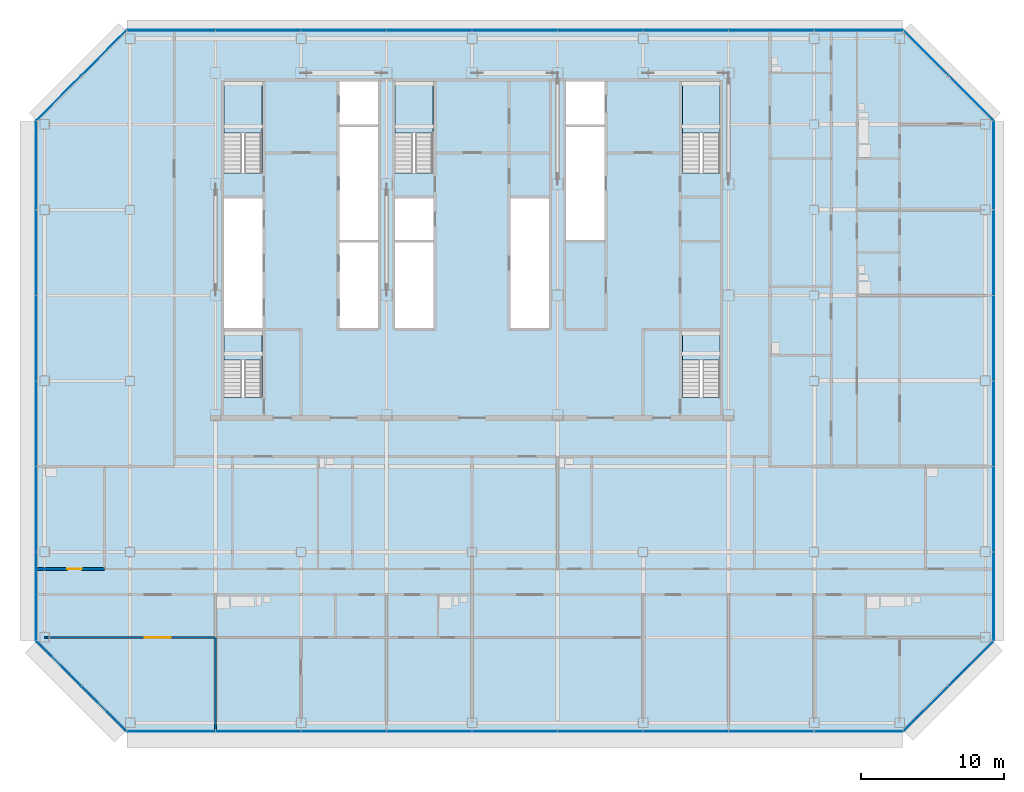
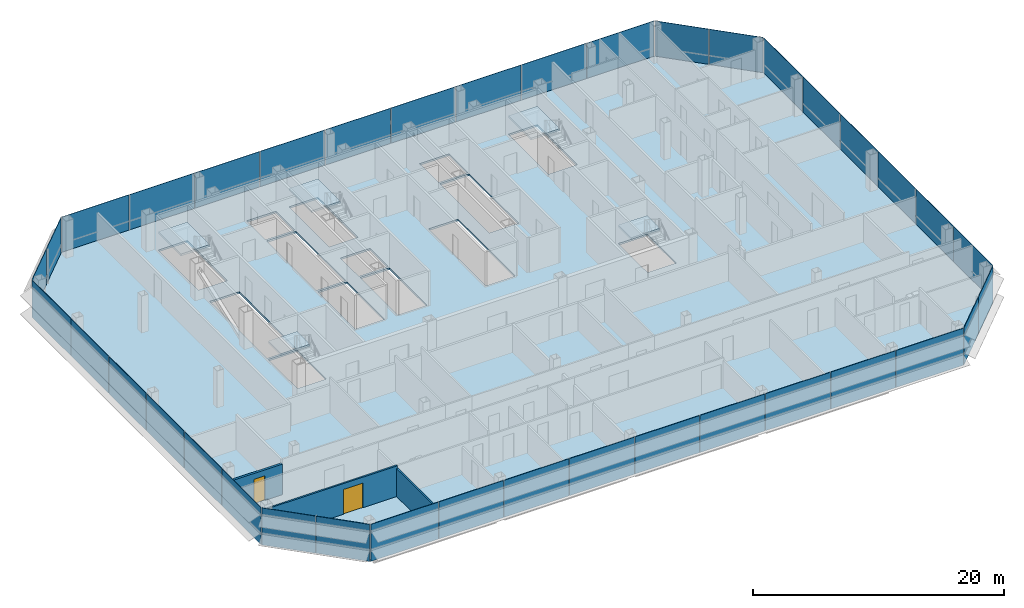
# One storey, part 18 of 26: 38 plates, 6 slabs, 3 walls, 2 doors, 2 openings, 13 elements without a shape of their own.
"""IFC4 building model written with IfcOpenShell, lengths in metres."""

from ifc_helpers import new_model, si_unit, direction, frame, frame_2d, origin, origin_2d, place, context, subcontext, project, spatial, polyline, rectangle, outline, extrude, material, layer, layer_set, type_object, element, fill, aggregate, save


model = new_model("IFC4")

# Units and contexts
model_context = context("Model", 3, precision=1e-05, world=origin(), true_north=direction((0.0, 1.0)))
body_context = subcontext(model_context, "Body", "Model", "MODEL_VIEW")
ifc_project = project(units=[si_unit("LENGTHUNIT", "METRE"), si_unit("AREAUNIT", "SQUARE_METRE"), si_unit("VOLUMEUNIT", "CUBIC_METRE"), si_unit("PLANEANGLEUNIT", "RADIAN"), si_unit("MASSUNIT", "GRAM", prefix="KILO")], contexts=[model_context])

# Site, building, storey
site_placement = place(None, origin())
site = spatial("IfcSite", under=ifc_project, at=site_placement, CompositionType="ELEMENT")
building_placement = place(site_placement, origin())
building = spatial("IfcBuilding", under=site, at=building_placement, Name="Sorahane Residences", CompositionType="ELEMENT")
storey_placement = place(building_placement, frame((0.0, 0.0, 151.0)))
storey = spatial("IfcBuildingStorey", under=building, at=storey_placement, Name="L34", CompositionType="ELEMENT", Elevation=151.0)

# Slab
ifc_material_1 = material(Name="Concrete C35", Category="concrete")
ifc_layer_1 = layer(ifc_material_1, 0.179931640625)
ifc_layer_set_1 = layer_set([ifc_layer_1], Name="Composite floor slab 180 mm Concrete C35")
slab_type_1 = type_object("IfcSlabType", Name="Composite floor slab 180 mm Concrete C35", PredefinedType="FLOOR", material=ifc_layer_set_1)
slab_1_placement = place(storey_placement, frame((0.0, 0.0, -0.179931640625)))
element("IfcSlab", 1, at=slab_1_placement, inside=storey, type_object=slab_type_1, Name="Slab L34", PredefinedType="FLOOR", context=body_context, shape_type="SweptSolid", body=[
    extrude(outline(polyline([(-0.24853515625, -0.60009765625), (-6.60009765625, 5.75146484375), (-6.60009765625, 42.24853515625), (-0.24853515625, 48.60009765625), (54.24853515625, 48.60009765625), (60.60009765625, 42.24853515625), (60.60009765625, 5.75146484375), (54.24853515625, -0.60009765625), (-0.24853515625, -0.60009765625)]), holes=[polyline([(18.60009765625, 27.699951171875), (21.300048828125, 27.699951171875), (21.300048828125, 33.699951171875), (18.60009765625, 33.699951171875), (18.60009765625, 27.699951171875)]), polyline([(30.60009765625, 42.0), (33.300048828125, 42.0), (33.300048828125, 45.0), (30.60009765625, 45.0), (30.60009765625, 42.0)]), polyline([(14.699951171875, 27.699951171875), (17.39990234375, 27.699951171875), (17.39990234375, 33.699951171875), (14.699951171875, 33.699951171875), (14.699951171875, 27.699951171875)]), polyline([(14.699951171875, 42.0), (17.39990234375, 42.0), (17.39990234375, 45.0), (14.699951171875, 45.0), (14.699951171875, 42.0)]), polyline([(6.60009765625, 27.699951171875), (9.300048828125, 27.699951171875), (9.300048828125, 36.800048828125), (6.60009765625, 36.800048828125), (6.60009765625, 27.699951171875)]), polyline([(9.25, 38.60009765625), (9.25, 45.0), (6.60009765625, 45.0), (6.60009765625, 38.60009765625), (9.25, 38.60009765625)]), polyline([(41.39990234375, 38.60009765625), (41.39990234375, 45.0), (38.75, 45.0), (38.75, 38.60009765625), (41.39990234375, 38.60009765625)]), polyline([(21.25, 38.60009765625), (21.25, 45.0), (18.60009765625, 45.0), (18.60009765625, 38.60009765625), (21.25, 38.60009765625)]), polyline([(9.25, 22.85009765625), (9.25, 27.5), (6.60009765625, 27.5), (6.60009765625, 22.85009765625), (9.25, 22.85009765625)]), polyline([(41.39990234375, 22.85009765625), (41.39990234375, 27.5), (38.75, 27.5), (38.75, 22.85009765625), (41.39990234375, 22.85009765625)]), polyline([(14.699951171875, 33.89990234375), (17.39990234375, 33.89990234375), (17.39990234375, 41.800048828125), (14.699951171875, 41.800048828125), (14.699951171875, 33.89990234375)]), polyline([(30.60009765625, 33.89990234375), (33.300048828125, 33.89990234375), (33.300048828125, 41.800048828125), (30.60009765625, 41.800048828125), (30.60009765625, 33.89990234375)]), polyline([(18.60009765625, 33.89990234375), (21.300048828125, 33.89990234375), (21.300048828125, 36.800048828125), (18.60009765625, 36.800048828125), (18.60009765625, 33.89990234375)]), polyline([(26.699951171875, 27.699951171875), (29.39990234375, 27.699951171875), (29.39990234375, 36.800048828125), (26.699951171875, 36.800048828125), (26.699951171875, 27.699951171875)])]), origin(), (0.0, 0.0, 1.0), 0.179931640625),
])

# Curtain wall, plates
ifc_material_2 = material(Name="Dark low-e glass and black anodised aluminium", Category="aluminium")
curtain_wall_type_1 = type_object("IfcCurtainWallType", Name="Curtain wall CW-1 Typical unitised wall", PredefinedType="NOTDEFINED", material=ifc_material_2)
curtain_wall_1_placement = place(storey_placement, origin())
curtain_wall_1 = element("IfcCurtainWall", 2, at=curtain_wall_1_placement, inside=storey, type_object=curtain_wall_type_1, Name="CW-1 curtain wall L34 S1", PredefinedType="NOTDEFINED")
ifc_material_3 = material(Name="Dark low-e glass with black ceramic frit", Category="glass")
ifc_layer_2 = layer(ifc_material_3, 0.0400390625)
ifc_layer_set_2 = layer_set([ifc_layer_2], Name="Curtain wall glass panel dark low-e with black frit spandrel band")
plate_type = type_object("IfcPlateType", Name="Curtain wall glass panel dark low-e with black frit spandrel band", PredefinedType="CURTAIN_PANEL", material=ifc_layer_set_2)
plate_1_placement = place(storey_placement, frame((2.88818359375, -0.60009765625, -0.179931640625), z_axis=(0.0, 0.0, 1.0), x_axis=(1.0, 0.0, 0.0)))
plate_1 = element("IfcPlate", 3, at=plate_1_placement, type_object=plate_type, Name="CW-1 glass panel L34 S1.1", PredefinedType="CURTAIN_PANEL", context=body_context, shape_type="SweptSolid", body=[
    extrude(rectangle(XDim=6.173583984375, YDim=0.0400390625, at=origin_2d()), origin(), (0.0, 0.0, 1.0), 3.60009765625),
])
plate_2_placement = place(storey_placement, frame((9.0, -0.60009765625, -0.179931640625), z_axis=(0.0, 0.0, 1.0), x_axis=(1.0, 0.0, 0.0)))
plate_2 = element("IfcPlate", 4, at=plate_2_placement, type_object=plate_type, Name="CW-1 glass panel L34 S1.2", PredefinedType="CURTAIN_PANEL", context=body_context, shape_type="SweptSolid", body=[
    extrude(rectangle(XDim=5.949951171875, YDim=0.0400390625, at=origin_2d()), origin(), (0.0, 0.0, 1.0), 3.60009765625),
])
plate_3_placement = place(storey_placement, frame((15.0, -0.60009765625, -0.179931640625), z_axis=(0.0, 0.0, 1.0), x_axis=(1.0, 0.0, 0.0)))
plate_3 = element("IfcPlate", 5, at=plate_3_placement, type_object=plate_type, Name="CW-1 glass panel L34 S1.3", PredefinedType="CURTAIN_PANEL", context=body_context, shape_type="SweptSolid", body=[
    extrude(rectangle(XDim=5.949951171875, YDim=0.0400390625, at=origin_2d()), origin(), (0.0, 0.0, 1.0), 3.60009765625),
])
plate_4_placement = place(storey_placement, frame((21.0, -0.60009765625, -0.179931640625), z_axis=(0.0, 0.0, 1.0), x_axis=(1.0, 0.0, 0.0)))
plate_4 = element("IfcPlate", 6, at=plate_4_placement, type_object=plate_type, Name="CW-1 glass panel L34 S1.4", PredefinedType="CURTAIN_PANEL", context=body_context, shape_type="SweptSolid", body=[
    extrude(rectangle(XDim=5.949951171875, YDim=0.0400390625, at=origin_2d()), origin(), (0.0, 0.0, 1.0), 3.60009765625),
])
plate_5_placement = place(storey_placement, frame((27.0, -0.60009765625, -0.179931640625), z_axis=(0.0, 0.0, 1.0), x_axis=(1.0, 0.0, 0.0)))
plate_5 = element("IfcPlate", 7, at=plate_5_placement, type_object=plate_type, Name="CW-1 glass panel L34 S1.5", PredefinedType="CURTAIN_PANEL", context=body_context, shape_type="SweptSolid", body=[
    extrude(rectangle(XDim=5.949951171875, YDim=0.0400390625, at=origin_2d()), origin(), (0.0, 0.0, 1.0), 3.60009765625),
])
plate_6_placement = place(storey_placement, frame((33.0, -0.60009765625, -0.179931640625), z_axis=(0.0, 0.0, 1.0), x_axis=(1.0, 0.0, 0.0)))
plate_6 = element("IfcPlate", 8, at=plate_6_placement, type_object=plate_type, Name="CW-1 glass panel L34 S1.6", PredefinedType="CURTAIN_PANEL", context=body_context, shape_type="SweptSolid", body=[
    extrude(rectangle(XDim=5.949951171875, YDim=0.0400390625, at=origin_2d()), origin(), (0.0, 0.0, 1.0), 3.60009765625),
])
plate_7_placement = place(storey_placement, frame((39.0, -0.60009765625, -0.179931640625), z_axis=(0.0, 0.0, 1.0), x_axis=(1.0, 0.0, 0.0)))
plate_7 = element("IfcPlate", 9, at=plate_7_placement, type_object=plate_type, Name="CW-1 glass panel L34 S1.7", PredefinedType="CURTAIN_PANEL", context=body_context, shape_type="SweptSolid", body=[
    extrude(rectangle(XDim=5.949951171875, YDim=0.0400390625, at=origin_2d()), origin(), (0.0, 0.0, 1.0), 3.60009765625),
])
plate_8_placement = place(storey_placement, frame((45.0, -0.60009765625, -0.179931640625), z_axis=(0.0, 0.0, 1.0), x_axis=(1.0, 0.0, 0.0)))
plate_8 = element("IfcPlate", 10, at=plate_8_placement, type_object=plate_type, Name="CW-1 glass panel L34 S1.8", PredefinedType="CURTAIN_PANEL", context=body_context, shape_type="SweptSolid", body=[
    extrude(rectangle(XDim=5.949951171875, YDim=0.0400390625, at=origin_2d()), origin(), (0.0, 0.0, 1.0), 3.60009765625),
])
plate_9_placement = place(storey_placement, frame((51.11181640625, -0.60009765625, -0.179931640625), z_axis=(0.0, 0.0, 1.0), x_axis=(1.0, 0.0, 0.0)))
plate_9 = element("IfcPlate", 11, at=plate_9_placement, type_object=plate_type, Name="CW-1 glass panel L34 S1.9", PredefinedType="CURTAIN_PANEL", context=body_context, shape_type="SweptSolid", body=[
    extrude(rectangle(XDim=6.173583984375, YDim=0.0400390625, at=origin_2d()), origin(), (0.0, 0.0, 1.0), 3.60009765625),
])
aggregate(curtain_wall_1, [plate_1, plate_2, plate_3, plate_4, plate_5, plate_6, plate_7, plate_8, plate_9])

ifc_material_4 = material(Name="Dark low-e glass and black anodised aluminium", Category="aluminium")
curtain_wall_type_2 = type_object("IfcCurtainWallType", Name="Curtain wall CW-2 Chamfer unitised wall", PredefinedType="NOTDEFINED", material=ifc_material_4)
curtain_wall_2_placement = place(storey_placement, origin())
curtain_wall_2 = element("IfcCurtainWall", 12, at=curtain_wall_2_placement, inside=storey, type_object=curtain_wall_type_2, Name="CW-2 curtain wall L34 SE1", PredefinedType="NOTDEFINED")
plate_10_placement = place(storey_placement, frame((55.84521484375, 0.996826171875, -0.179931640625), z_axis=(0.0, 0.0, 1.0), x_axis=(0.707106781187, 0.707106781187, 0.0)))
plate_10 = element("IfcPlate", 13, at=plate_10_placement, type_object=plate_type, Name="CW-2 glass panel L34 SE1.1", PredefinedType="CURTAIN_PANEL", context=body_context, shape_type="SweptSolid", body=[
    extrude(rectangle(XDim=4.416259765625, YDim=0.0400390625, at=origin_2d()), origin(), (0.0, 0.0, 1.0), 3.60009765625),
])
plate_11_placement = place(storey_placement, frame((59.003173828125, 4.15478515625, -0.179931640625), z_axis=(0.0, 0.0, 1.0), x_axis=(0.707106781187, 0.707106781187, 0.0)))
plate_11 = element("IfcPlate", 14, at=plate_11_placement, type_object=plate_type, Name="CW-2 glass panel L34 SE1.2", PredefinedType="CURTAIN_PANEL", context=body_context, shape_type="SweptSolid", body=[
    extrude(rectangle(XDim=4.416259765625, YDim=0.0400390625, at=origin_2d()), origin(), (0.0, 0.0, 1.0), 3.60009765625),
])
aggregate(curtain_wall_2, [plate_10, plate_11])

curtain_wall_3_placement = place(storey_placement, origin())
curtain_wall_3 = element("IfcCurtainWall", 15, at=curtain_wall_3_placement, inside=storey, type_object=curtain_wall_type_1, Name="CW-1 curtain wall L34 E1", PredefinedType="NOTDEFINED")
plate_12_placement = place(storey_placement, frame((60.60009765625, 8.88818359375, -0.179931640625), z_axis=(0.0, 0.0, 1.0), x_axis=(0.0, 1.0, 0.0)))
plate_12 = element("IfcPlate", 16, at=plate_12_placement, type_object=plate_type, Name="CW-1 glass panel L34 E1.1", PredefinedType="CURTAIN_PANEL", context=body_context, shape_type="SweptSolid", body=[
    extrude(rectangle(XDim=6.173583984375, YDim=0.0400390625, at=origin_2d()), origin(), (0.0, 0.0, 1.0), 3.60009765625),
])
plate_13_placement = place(storey_placement, frame((60.60009765625, 15.0, -0.179931640625), z_axis=(0.0, 0.0, 1.0), x_axis=(0.0, 1.0, 0.0)))
plate_13 = element("IfcPlate", 17, at=plate_13_placement, type_object=plate_type, Name="CW-1 glass panel L34 E1.2", PredefinedType="CURTAIN_PANEL", context=body_context, shape_type="SweptSolid", body=[
    extrude(rectangle(XDim=5.949951171875, YDim=0.0400390625, at=origin_2d()), origin(), (0.0, 0.0, 1.0), 3.60009765625),
])
plate_14_placement = place(storey_placement, frame((60.60009765625, 21.0, -0.179931640625), z_axis=(0.0, 0.0, 1.0), x_axis=(0.0, 1.0, 0.0)))
plate_14 = element("IfcPlate", 18, at=plate_14_placement, type_object=plate_type, Name="CW-1 glass panel L34 E1.3", PredefinedType="CURTAIN_PANEL", context=body_context, shape_type="SweptSolid", body=[
    extrude(rectangle(XDim=5.949951171875, YDim=0.0400390625, at=origin_2d()), origin(), (0.0, 0.0, 1.0), 3.60009765625),
])
plate_15_placement = place(storey_placement, frame((60.60009765625, 27.0, -0.179931640625), z_axis=(0.0, 0.0, 1.0), x_axis=(0.0, 1.0, 0.0)))
plate_15 = element("IfcPlate", 19, at=plate_15_placement, type_object=plate_type, Name="CW-1 glass panel L34 E1.4", PredefinedType="CURTAIN_PANEL", context=body_context, shape_type="SweptSolid", body=[
    extrude(rectangle(XDim=5.949951171875, YDim=0.0400390625, at=origin_2d()), origin(), (0.0, 0.0, 1.0), 3.60009765625),
])
plate_16_placement = place(storey_placement, frame((60.60009765625, 33.0, -0.179931640625), z_axis=(0.0, 0.0, 1.0), x_axis=(0.0, 1.0, 0.0)))
plate_16 = element("IfcPlate", 20, at=plate_16_placement, type_object=plate_type, Name="CW-1 glass panel L34 E1.5", PredefinedType="CURTAIN_PANEL", context=body_context, shape_type="SweptSolid", body=[
    extrude(rectangle(XDim=5.949951171875, YDim=0.0400390625, at=origin_2d()), origin(), (0.0, 0.0, 1.0), 3.60009765625),
])
plate_17_placement = place(storey_placement, frame((60.60009765625, 39.11181640625, -0.179931640625), z_axis=(0.0, 0.0, 1.0), x_axis=(0.0, 1.0, 0.0)))
plate_17 = element("IfcPlate", 21, at=plate_17_placement, type_object=plate_type, Name="CW-1 glass panel L34 E1.6", PredefinedType="CURTAIN_PANEL", context=body_context, shape_type="SweptSolid", body=[
    extrude(rectangle(XDim=6.173583984375, YDim=0.0400390625, at=origin_2d()), origin(), (0.0, 0.0, 1.0), 3.60009765625),
])
aggregate(curtain_wall_3, [plate_12, plate_13, plate_14, plate_15, plate_16, plate_17])

curtain_wall_4_placement = place(storey_placement, origin())
curtain_wall_4 = element("IfcCurtainWall", 22, at=curtain_wall_4_placement, inside=storey, type_object=curtain_wall_type_2, Name="CW-2 curtain wall L34 NE1", PredefinedType="NOTDEFINED")
plate_18_placement = place(storey_placement, frame((59.003173828125, 43.84521484375, -0.179931640625), z_axis=(0.0, 0.0, 1.0), x_axis=(-0.707106781187, 0.707106781187, 0.0)))
plate_18 = element("IfcPlate", 23, at=plate_18_placement, type_object=plate_type, Name="CW-2 glass panel L34 NE1.1", PredefinedType="CURTAIN_PANEL", context=body_context, shape_type="SweptSolid", body=[
    extrude(rectangle(XDim=4.416259765625, YDim=0.0400390625, at=origin_2d()), origin(), (0.0, 0.0, 1.0), 3.60009765625),
])
plate_19_placement = place(storey_placement, frame((55.84521484375, 47.003173828125, -0.179931640625), z_axis=(0.0, 0.0, 1.0), x_axis=(-0.707106781187, 0.707106781187, 0.0)))
plate_19 = element("IfcPlate", 24, at=plate_19_placement, type_object=plate_type, Name="CW-2 glass panel L34 NE1.2", PredefinedType="CURTAIN_PANEL", context=body_context, shape_type="SweptSolid", body=[
    extrude(rectangle(XDim=4.416259765625, YDim=0.0400390625, at=origin_2d()), origin(), (0.0, 0.0, 1.0), 3.60009765625),
])
aggregate(curtain_wall_4, [plate_18, plate_19])

curtain_wall_5_placement = place(storey_placement, origin())
curtain_wall_5 = element("IfcCurtainWall", 25, at=curtain_wall_5_placement, inside=storey, type_object=curtain_wall_type_1, Name="CW-1 curtain wall L34 N1", PredefinedType="NOTDEFINED")
plate_20_placement = place(storey_placement, frame((51.11181640625, 48.60009765625, -0.179931640625), z_axis=(0.0, 0.0, 1.0), x_axis=(-1.0, 0.0, 0.0)))
plate_20 = element("IfcPlate", 26, at=plate_20_placement, type_object=plate_type, Name="CW-1 glass panel L34 N1.1", PredefinedType="CURTAIN_PANEL", context=body_context, shape_type="SweptSolid", body=[
    extrude(rectangle(XDim=6.173583984375, YDim=0.0400390625, at=origin_2d()), origin(), (0.0, 0.0, 1.0), 3.60009765625),
])
plate_21_placement = place(storey_placement, frame((45.0, 48.60009765625, -0.179931640625), z_axis=(0.0, 0.0, 1.0), x_axis=(-1.0, 0.0, 0.0)))
plate_21 = element("IfcPlate", 27, at=plate_21_placement, type_object=plate_type, Name="CW-1 glass panel L34 N1.2", PredefinedType="CURTAIN_PANEL", context=body_context, shape_type="SweptSolid", body=[
    extrude(rectangle(XDim=5.949951171875, YDim=0.0400390625, at=origin_2d()), origin(), (0.0, 0.0, 1.0), 3.60009765625),
])
plate_22_placement = place(storey_placement, frame((39.0, 48.60009765625, -0.179931640625), z_axis=(0.0, 0.0, 1.0), x_axis=(-1.0, 0.0, 0.0)))
plate_22 = element("IfcPlate", 28, at=plate_22_placement, type_object=plate_type, Name="CW-1 glass panel L34 N1.3", PredefinedType="CURTAIN_PANEL", context=body_context, shape_type="SweptSolid", body=[
    extrude(rectangle(XDim=5.949951171875, YDim=0.0400390625, at=origin_2d()), origin(), (0.0, 0.0, 1.0), 3.60009765625),
])
plate_23_placement = place(storey_placement, frame((33.0, 48.60009765625, -0.179931640625), z_axis=(0.0, 0.0, 1.0), x_axis=(-1.0, 0.0, 0.0)))
plate_23 = element("IfcPlate", 29, at=plate_23_placement, type_object=plate_type, Name="CW-1 glass panel L34 N1.4", PredefinedType="CURTAIN_PANEL", context=body_context, shape_type="SweptSolid", body=[
    extrude(rectangle(XDim=5.949951171875, YDim=0.0400390625, at=origin_2d()), origin(), (0.0, 0.0, 1.0), 3.60009765625),
])
plate_24_placement = place(storey_placement, frame((27.0, 48.60009765625, -0.179931640625), z_axis=(0.0, 0.0, 1.0), x_axis=(-1.0, 0.0, 0.0)))
plate_24 = element("IfcPlate", 30, at=plate_24_placement, type_object=plate_type, Name="CW-1 glass panel L34 N1.5", PredefinedType="CURTAIN_PANEL", context=body_context, shape_type="SweptSolid", body=[
    extrude(rectangle(XDim=5.949951171875, YDim=0.0400390625, at=origin_2d()), origin(), (0.0, 0.0, 1.0), 3.60009765625),
])
plate_25_placement = place(storey_placement, frame((21.0, 48.60009765625, -0.179931640625), z_axis=(0.0, 0.0, 1.0), x_axis=(-1.0, 0.0, 0.0)))
plate_25 = element("IfcPlate", 31, at=plate_25_placement, type_object=plate_type, Name="CW-1 glass panel L34 N1.6", PredefinedType="CURTAIN_PANEL", context=body_context, shape_type="SweptSolid", body=[
    extrude(rectangle(XDim=5.949951171875, YDim=0.0400390625, at=origin_2d()), origin(), (0.0, 0.0, 1.0), 3.60009765625),
])
plate_26_placement = place(storey_placement, frame((15.0, 48.60009765625, -0.179931640625), z_axis=(0.0, 0.0, 1.0), x_axis=(-1.0, 0.0, 0.0)))
plate_26 = element("IfcPlate", 32, at=plate_26_placement, type_object=plate_type, Name="CW-1 glass panel L34 N1.7", PredefinedType="CURTAIN_PANEL", context=body_context, shape_type="SweptSolid", body=[
    extrude(rectangle(XDim=5.949951171875, YDim=0.0400390625, at=origin_2d()), origin(), (0.0, 0.0, 1.0), 3.60009765625),
])
plate_27_placement = place(storey_placement, frame((9.0, 48.60009765625, -0.179931640625), z_axis=(0.0, 0.0, 1.0), x_axis=(-1.0, 0.0, 0.0)))
plate_27 = element("IfcPlate", 33, at=plate_27_placement, type_object=plate_type, Name="CW-1 glass panel L34 N1.8", PredefinedType="CURTAIN_PANEL", context=body_context, shape_type="SweptSolid", body=[
    extrude(rectangle(XDim=5.949951171875, YDim=0.0400390625, at=origin_2d()), origin(), (0.0, 0.0, 1.0), 3.60009765625),
])
plate_28_placement = place(storey_placement, frame((2.88818359375, 48.60009765625, -0.179931640625), z_axis=(0.0, 0.0, 1.0), x_axis=(-1.0, 0.0, 0.0)))
plate_28 = element("IfcPlate", 34, at=plate_28_placement, type_object=plate_type, Name="CW-1 glass panel L34 N1.9", PredefinedType="CURTAIN_PANEL", context=body_context, shape_type="SweptSolid", body=[
    extrude(rectangle(XDim=6.173583984375, YDim=0.0400390625, at=origin_2d()), origin(), (0.0, 0.0, 1.0), 3.60009765625),
])
aggregate(curtain_wall_5, [plate_20, plate_21, plate_22, plate_23, plate_24, plate_25, plate_26, plate_27, plate_28])

curtain_wall_6_placement = place(storey_placement, origin())
curtain_wall_6 = element("IfcCurtainWall", 35, at=curtain_wall_6_placement, inside=storey, type_object=curtain_wall_type_2, Name="CW-2 curtain wall L34 NW1", PredefinedType="NOTDEFINED")
plate_29_placement = place(storey_placement, frame((-1.84521484375, 47.003173828125, -0.179931640625), z_axis=(0.0, 0.0, 1.0), x_axis=(-0.707106781187, -0.707106781187, 0.0)))
plate_29 = element("IfcPlate", 36, at=plate_29_placement, type_object=plate_type, Name="CW-2 glass panel L34 NW1.1", PredefinedType="CURTAIN_PANEL", context=body_context, shape_type="SweptSolid", body=[
    extrude(rectangle(XDim=4.416259765625, YDim=0.0400390625, at=origin_2d()), origin(), (0.0, 0.0, 1.0), 3.60009765625),
])
plate_30_placement = place(storey_placement, frame((-5.003173828125, 43.84521484375, -0.179931640625), z_axis=(0.0, 0.0, 1.0), x_axis=(-0.707106781187, -0.707106781187, 0.0)))
plate_30 = element("IfcPlate", 37, at=plate_30_placement, type_object=plate_type, Name="CW-2 glass panel L34 NW1.2", PredefinedType="CURTAIN_PANEL", context=body_context, shape_type="SweptSolid", body=[
    extrude(rectangle(XDim=4.416259765625, YDim=0.0400390625, at=origin_2d()), origin(), (0.0, 0.0, 1.0), 3.60009765625),
])
aggregate(curtain_wall_6, [plate_29, plate_30])

curtain_wall_7_placement = place(storey_placement, origin())
curtain_wall_7 = element("IfcCurtainWall", 38, at=curtain_wall_7_placement, inside=storey, type_object=curtain_wall_type_1, Name="CW-1 curtain wall L34 W1", PredefinedType="NOTDEFINED")
plate_31_placement = place(storey_placement, frame((-6.60009765625, 39.11181640625, -0.179931640625), z_axis=(0.0, 0.0, 1.0), x_axis=(0.0, -1.0, 0.0)))
plate_31 = element("IfcPlate", 39, at=plate_31_placement, type_object=plate_type, Name="CW-1 glass panel L34 W1.1", PredefinedType="CURTAIN_PANEL", context=body_context, shape_type="SweptSolid", body=[
    extrude(rectangle(XDim=6.173583984375, YDim=0.0400390625, at=origin_2d()), origin(), (0.0, 0.0, 1.0), 3.60009765625),
])
plate_32_placement = place(storey_placement, frame((-6.60009765625, 33.0, -0.179931640625), z_axis=(0.0, 0.0, 1.0), x_axis=(0.0, -1.0, 0.0)))
plate_32 = element("IfcPlate", 40, at=plate_32_placement, type_object=plate_type, Name="CW-1 glass panel L34 W1.2", PredefinedType="CURTAIN_PANEL", context=body_context, shape_type="SweptSolid", body=[
    extrude(rectangle(XDim=5.949951171875, YDim=0.0400390625, at=origin_2d()), origin(), (0.0, 0.0, 1.0), 3.60009765625),
])
plate_33_placement = place(storey_placement, frame((-6.60009765625, 27.0, -0.179931640625), z_axis=(0.0, 0.0, 1.0), x_axis=(0.0, -1.0, 0.0)))
plate_33 = element("IfcPlate", 41, at=plate_33_placement, type_object=plate_type, Name="CW-1 glass panel L34 W1.3", PredefinedType="CURTAIN_PANEL", context=body_context, shape_type="SweptSolid", body=[
    extrude(rectangle(XDim=5.949951171875, YDim=0.0400390625, at=origin_2d()), origin(), (0.0, 0.0, 1.0), 3.60009765625),
])
plate_34_placement = place(storey_placement, frame((-6.60009765625, 21.0, -0.179931640625), z_axis=(0.0, 0.0, 1.0), x_axis=(0.0, -1.0, 0.0)))
plate_34 = element("IfcPlate", 42, at=plate_34_placement, type_object=plate_type, Name="CW-1 glass panel L34 W1.4", PredefinedType="CURTAIN_PANEL", context=body_context, shape_type="SweptSolid", body=[
    extrude(rectangle(XDim=5.949951171875, YDim=0.0400390625, at=origin_2d()), origin(), (0.0, 0.0, 1.0), 3.60009765625),
])
plate_35_placement = place(storey_placement, frame((-6.60009765625, 15.0, -0.179931640625), z_axis=(0.0, 0.0, 1.0), x_axis=(0.0, -1.0, 0.0)))
plate_35 = element("IfcPlate", 43, at=plate_35_placement, type_object=plate_type, Name="CW-1 glass panel L34 W1.5", PredefinedType="CURTAIN_PANEL", context=body_context, shape_type="SweptSolid", body=[
    extrude(rectangle(XDim=5.949951171875, YDim=0.0400390625, at=origin_2d()), origin(), (0.0, 0.0, 1.0), 3.60009765625),
])
plate_36_placement = place(storey_placement, frame((-6.60009765625, 8.88818359375, -0.179931640625), z_axis=(0.0, 0.0, 1.0), x_axis=(0.0, -1.0, 0.0)))
plate_36 = element("IfcPlate", 44, at=plate_36_placement, type_object=plate_type, Name="CW-1 glass panel L34 W1.6", PredefinedType="CURTAIN_PANEL", context=body_context, shape_type="SweptSolid", body=[
    extrude(rectangle(XDim=6.173583984375, YDim=0.0400390625, at=origin_2d()), origin(), (0.0, 0.0, 1.0), 3.60009765625),
])
aggregate(curtain_wall_7, [plate_31, plate_32, plate_33, plate_34, plate_35, plate_36])

curtain_wall_8_placement = place(storey_placement, origin())
curtain_wall_8 = element("IfcCurtainWall", 45, at=curtain_wall_8_placement, inside=storey, type_object=curtain_wall_type_2, Name="CW-2 curtain wall L34 SW1", PredefinedType="NOTDEFINED")
plate_37_placement = place(storey_placement, frame((-5.003173828125, 4.15478515625, -0.179931640625), z_axis=(0.0, 0.0, 1.0), x_axis=(0.707106781187, -0.707106781187, 0.0)))
plate_37 = element("IfcPlate", 46, at=plate_37_placement, type_object=plate_type, Name="CW-2 glass panel L34 SW1.1", PredefinedType="CURTAIN_PANEL", context=body_context, shape_type="SweptSolid", body=[
    extrude(rectangle(XDim=4.416259765625, YDim=0.0400390625, at=origin_2d()), origin(), (0.0, 0.0, 1.0), 3.60009765625),
])
plate_38_placement = place(storey_placement, frame((-1.84521484375, 0.996826171875, -0.179931640625), z_axis=(0.0, 0.0, 1.0), x_axis=(0.707106781187, -0.707106781187, 0.0)))
plate_38 = element("IfcPlate", 47, at=plate_38_placement, type_object=plate_type, Name="CW-2 glass panel L34 SW1.2", PredefinedType="CURTAIN_PANEL", context=body_context, shape_type="SweptSolid", body=[
    extrude(rectangle(XDim=4.416259765625, YDim=0.0400390625, at=origin_2d()), origin(), (0.0, 0.0, 1.0), 3.60009765625),
])
aggregate(curtain_wall_8, [plate_37, plate_38])

# Stair, slab
ifc_material_5 = material(Name="Concrete C40", Category="concrete")
stair_type = type_object("IfcStairType", Name="Dog-leg stair 1250 Concrete C40", PredefinedType="HALF_TURN_STAIR", material=ifc_material_5)
stair_1_placement = place(storey_placement, origin())
stair_1 = element("IfcStair", 48, at=stair_1_placement, inside=storey, type_object=stair_type, Name="L34 Stair S1", PredefinedType="HALF_TURN_STAIR")
ifc_material_6 = material(Name="Concrete C40", Category="concrete")
ifc_layer_3 = layer(ifc_material_6, 0.199951171875)
ifc_layer_set_3 = layer_set([ifc_layer_3], Name="Stair landing 200 Concrete C40")
slab_type_2 = type_object("IfcSlabType", Name="Stair landing 200 Concrete C40", PredefinedType="LANDING", material=ifc_layer_set_3)
slab_2_placement = place(storey_placement, frame((0.0, 0.0, 1.60009765625)))
slab_2 = element("IfcSlab", 49, at=slab_2_placement, type_object=slab_type_2, Name="S1 landing 1", PredefinedType="LANDING", context=body_context, shape_type="SweptSolid", body=[
    extrude(outline(polyline([(9.25, 41.39990234375), (9.25, 45.0), (6.60009765625, 45.0), (6.60009765625, 41.39990234375), (9.25, 41.39990234375)])), origin(), (0.0, 0.0, 1.0), 0.199951171875),
])
aggregate(stair_1, [slab_2])

stair_2_placement = place(storey_placement, origin())
stair_2 = element("IfcStair", 50, at=stair_2_placement, inside=storey, type_object=stair_type, Name="L34 Stair S2", PredefinedType="HALF_TURN_STAIR")
slab_3_placement = place(storey_placement, frame((0.0, 0.0, 1.60009765625)))
slab_3 = element("IfcSlab", 51, at=slab_3_placement, type_object=slab_type_2, Name="S2 landing 1", PredefinedType="LANDING", context=body_context, shape_type="SweptSolid", body=[
    extrude(outline(polyline([(41.39990234375, 41.39990234375), (41.39990234375, 45.0), (38.75, 45.0), (38.75, 41.39990234375), (41.39990234375, 41.39990234375)])), origin(), (0.0, 0.0, 1.0), 0.199951171875),
])
aggregate(stair_2, [slab_3])

stair_3_placement = place(storey_placement, origin())
stair_3 = element("IfcStair", 52, at=stair_3_placement, inside=storey, type_object=stair_type, Name="L34 Stair S3", PredefinedType="HALF_TURN_STAIR")
slab_4_placement = place(storey_placement, frame((0.0, 0.0, 1.60009765625)))
slab_4 = element("IfcSlab", 53, at=slab_4_placement, type_object=slab_type_2, Name="S3 landing 1", PredefinedType="LANDING", context=body_context, shape_type="SweptSolid", body=[
    extrude(outline(polyline([(21.25, 41.39990234375), (21.25, 45.0), (18.60009765625, 45.0), (18.60009765625, 41.39990234375), (21.25, 41.39990234375)])), origin(), (0.0, 0.0, 1.0), 0.199951171875),
])
aggregate(stair_3, [slab_4])

stair_4_placement = place(storey_placement, origin())
stair_4 = element("IfcStair", 54, at=stair_4_placement, inside=storey, type_object=stair_type, Name="L34 Stair S4", PredefinedType="HALF_TURN_STAIR")
slab_5_placement = place(storey_placement, frame((0.0, 0.0, 1.60009765625)))
slab_5 = element("IfcSlab", 55, at=slab_5_placement, type_object=slab_type_2, Name="S4 landing 1", PredefinedType="LANDING", context=body_context, shape_type="SweptSolid", body=[
    extrude(outline(polyline([(9.25, 25.449951171875), (9.25, 27.5), (6.60009765625, 27.5), (6.60009765625, 25.449951171875), (9.25, 25.449951171875)])), origin(), (0.0, 0.0, 1.0), 0.199951171875),
])
aggregate(stair_4, [slab_5])

stair_5_placement = place(storey_placement, origin())
stair_5 = element("IfcStair", 56, at=stair_5_placement, inside=storey, type_object=stair_type, Name="L34 Stair S5", PredefinedType="HALF_TURN_STAIR")
slab_6_placement = place(storey_placement, frame((0.0, 0.0, 1.60009765625)))
slab_6 = element("IfcSlab", 57, at=slab_6_placement, type_object=slab_type_2, Name="S5 landing 1", PredefinedType="LANDING", context=body_context, shape_type="SweptSolid", body=[
    extrude(outline(polyline([(41.39990234375, 25.449951171875), (41.39990234375, 27.5), (38.75, 27.5), (38.75, 25.449951171875), (41.39990234375, 25.449951171875)])), origin(), (0.0, 0.0, 1.0), 0.199951171875),
])
aggregate(stair_5, [slab_6])

# Wall, opening, door
ifc_material_7 = material(Name="Concrete blockwork C20 wall", Category="masonry")
ifc_layer_4 = layer(ifc_material_7, 0.199951171875)
ifc_layer_set_4 = layer_set([ifc_layer_4], Name="Kitchen wall 200 EI 180")
wall_type_1 = type_object("IfcWallType", Name="Kitchen wall 200 EI 180", PredefinedType="SOLIDWALL", material=ifc_layer_set_4)
wall_1_placement = place(storey_placement, frame((-6.60009765625, 10.800048828125, 0.0), z_axis=(0.0, 0.0, 1.0), x_axis=(1.0, 0.0, 0.0)))
wall_1 = element("IfcWall", 58, at=wall_1_placement, inside=storey, type_object=wall_type_1, Name="L34 kitchen wall", PredefinedType="SOLIDWALL", context=body_context, shape_type="SweptSolid", body=[
    extrude(rectangle(XDim=4.800048828125, YDim=0.199951171875, at=frame_2d((2.39990234375, 0.0))), origin(), (0.0, 0.0, 1.0), 2.969970703125),
])
opening_1_placement = place(wall_1_placement, frame((2.199951171875, 0.0, 0.0)))
opening_1 = element("IfcOpeningElement", 59, at=opening_1_placement, cuts=wall_1, Name="Opening L34-02", PredefinedType="OPENING", context=body_context, shape_type="SweptSolid", body=[
    extrude(rectangle(XDim=1.0, YDim=2.39990234375, at=frame_2d((0.5, 1.199951171875))), frame((0.0, 0.10986328125, 0.0), z_axis=(0.0, -1.0, 0.0), x_axis=(1.0, 0.0, 0.0)), (0.0, 0.0, 1.0), 0.219970703125),
])
ifc_material_8 = material(Name="Steel", Category="steel")
door_type_1 = type_object("IfcDoorType", Name="Kitchen door 1000x2400 FD120", OperationType="NOTDEFINED", PredefinedType="DOOR", material=ifc_material_8)
door_1_placement = place(opening_1_placement, origin())
door_1 = element("IfcDoor", 60, at=door_1_placement, inside=storey, type_object=door_type_1, Name="Kitchen door L34-02", OperationType="SINGLE_SWING_RIGHT", OverallHeight=2.39990234375, OverallWidth=1.0, PredefinedType="DOOR", context=body_context, shape_type="SweptSolid", body=[
    extrude(rectangle(XDim=1.0, YDim=2.39990234375, at=frame_2d((0.5, 1.199951171875))), frame((0.0, 0.02490234375, 0.0), z_axis=(0.0, -1.0, 0.0), x_axis=(1.0, 0.0, 0.0)), (0.0, 0.0, 1.0), 0.050048828125),
])
fill(opening_1, door_1)

# Wall
ifc_material_9 = material(Name="Gypsum board partition on steel studs", Category="steel")
ifc_layer_5 = layer(ifc_material_9, 0.14990234375)
ifc_layer_set_5 = layer_set([ifc_layer_5], Name="Partition 150 EI 90")
wall_type_2 = type_object("IfcWallType", Name="Partition 150 EI 90", PredefinedType="PARTITIONING", material=ifc_layer_set_5)
wall_2_placement = place(storey_placement, frame((6.0, -0.60009765625, 0.0), z_axis=(0.0, 0.0, 1.0), x_axis=(0.0, 1.0, 0.0)))
element("IfcWall", 61, at=wall_2_placement, inside=storey, type_object=wall_type_2, Name="L34 partition", PredefinedType="PARTITIONING", context=body_context, shape_type="SweptSolid", body=[
    extrude(rectangle(XDim=6.60009765625, YDim=0.14990234375, at=frame_2d((3.300048828125, 0.0))), origin(), (0.0, 0.0, 1.0), 2.719970703125),
])

# Wall, opening, door
wall_3_placement = place(storey_placement, frame((-6.0, 6.0, 0.0), z_axis=(0.0, 0.0, 1.0), x_axis=(1.0, 0.0, 0.0)))
wall_3 = element("IfcWall", 62, at=wall_3_placement, inside=storey, type_object=wall_type_2, Name="L34 partition", PredefinedType="PARTITIONING", context=body_context, shape_type="SweptSolid", body=[
    extrude(rectangle(XDim=12.0, YDim=0.14990234375, at=frame_2d((6.0, 0.0))), origin(), (0.0, 0.0, 1.0), 2.969970703125),
])
opening_2_placement = place(wall_3_placement, frame((7.0400390625, 0.0, 0.0)))
opening_2 = element("IfcOpeningElement", 63, at=opening_2_placement, cuts=wall_3, Name="Opening L34-09", PredefinedType="OPENING", context=body_context, shape_type="SweptSolid", body=[
    extrude(rectangle(XDim=1.800048828125, YDim=2.39990234375, at=frame_2d((0.89990234375, 1.199951171875))), frame((0.0, 0.0849609375, 0.0), z_axis=(0.0, -1.0, 0.0), x_axis=(1.0, 0.0, 0.0)), (0.0, 0.0, 1.0), 0.169921875),
])
ifc_material_10 = material(Name="Timber veneered fire door", Category="wood")
door_type_2 = type_object("IfcDoorType", Name="Double door 1800x2400 FD30", OperationType="NOTDEFINED", PredefinedType="DOOR", material=ifc_material_10)
door_2_placement = place(opening_2_placement, frame((1.800048828125, 0.0, 0.0), z_axis=(0.0, 0.0, 1.0), x_axis=(-1.0, 0.0, 0.0)))
door_2 = element("IfcDoor", 64, at=door_2_placement, inside=storey, type_object=door_type_2, Name="Double door L34-09", OperationType="SINGLE_SWING_LEFT", OverallHeight=2.39990234375, OverallWidth=1.800048828125, PredefinedType="DOOR", context=body_context, shape_type="SweptSolid", body=[
    extrude(rectangle(XDim=1.800048828125, YDim=2.39990234375, at=frame_2d((0.89990234375, 1.199951171875))), frame((0.0, 0.02490234375, 0.0), z_axis=(0.0, -1.0, 0.0), x_axis=(1.0, 0.0, 0.0)), (0.0, 0.0, 1.0), 0.050048828125),
])
fill(opening_2, door_2)

save(model, "model.ifc")
